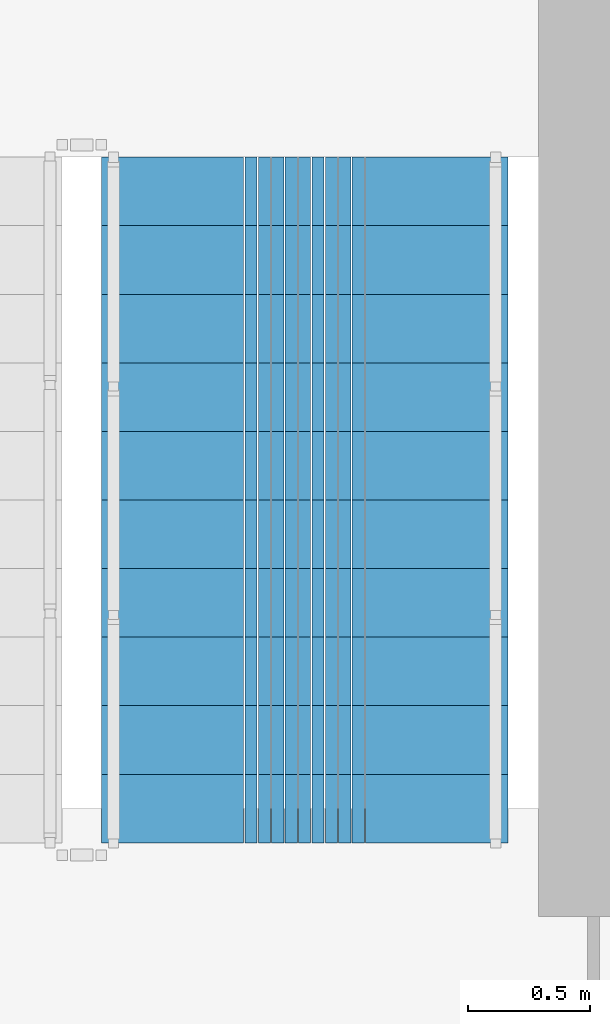
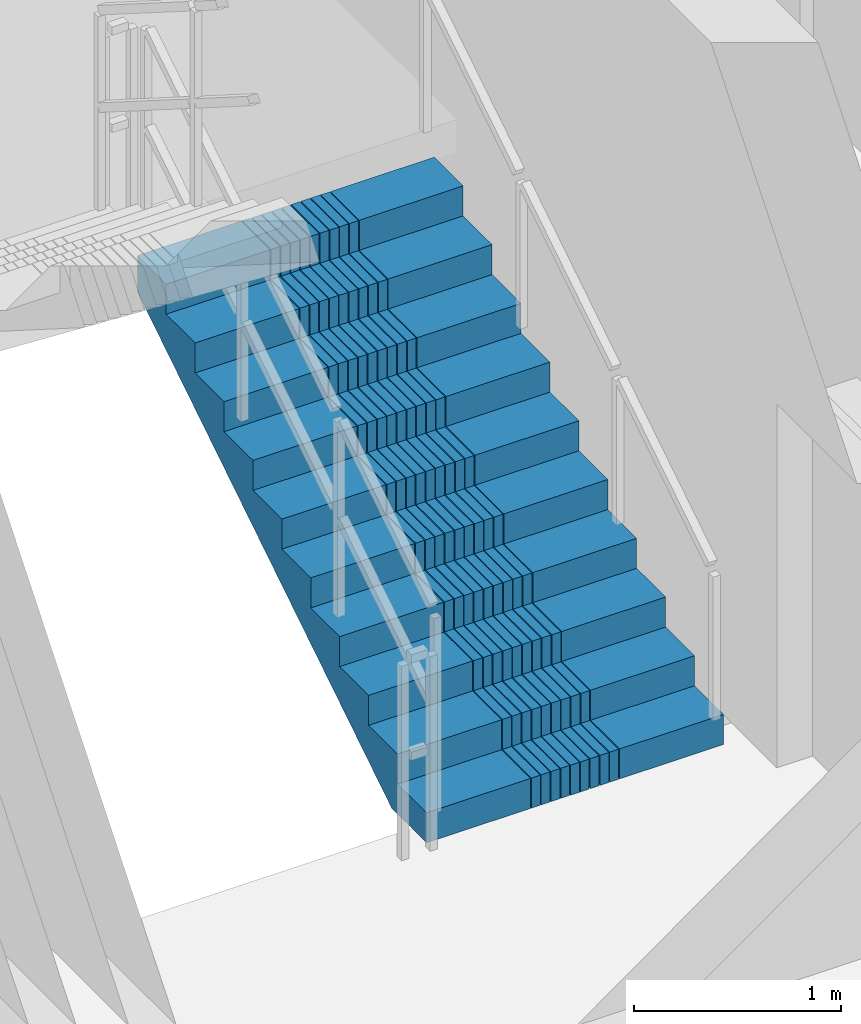
# One storey, part 10 of 15: 1 stair flight, 1 element without a shape of its own.
"""IFC4 building model written with IfcOpenShell, lengths in metres."""

from ifc_helpers import new_model, si_unit, direction, frame, origin, place, context, subcontext, project, spatial, polyline, outline, extrude, material, type_object, element, aggregate, save


model = new_model("IFC4")

# Units and contexts
model_context = context("Model", 3, precision=1e-05, world=origin(), true_north=direction((0.0, 1.0)))
body_context = subcontext(model_context, "Body", "Model", "MODEL_VIEW")
ifc_project = project(units=[si_unit("LENGTHUNIT", "METRE"), si_unit("AREAUNIT", "SQUARE_METRE"), si_unit("VOLUMEUNIT", "CUBIC_METRE"), si_unit("PLANEANGLEUNIT", "RADIAN"), si_unit("MASSUNIT", "GRAM", prefix="KILO")], contexts=[model_context])

# Site, building, storey
site_placement = place(None, origin())
site = spatial("IfcSite", under=ifc_project, at=site_placement, CompositionType="ELEMENT")
building_placement = place(site_placement, origin())
building = spatial("IfcBuilding", under=site, at=building_placement, Name="Saelheon Loggia Tower", CompositionType="ELEMENT")
storey_placement = place(building_placement, frame((0.0, 0.0, 169.0)))
storey = spatial("IfcBuildingStorey", under=building, at=storey_placement, Name="L53", CompositionType="ELEMENT", Elevation=169.0)

# Stair, stair flight
ifc_material = material(Name="Concrete C40/50", Category="concrete")
stair_type = type_object("IfcStairType", Name="Stair_Escape_Core", PredefinedType="HALF_TURN_STAIR", material=ifc_material)
stair_placement = place(storey_placement, origin())
stair = element("IfcStair", 1, at=stair_placement, inside=storey, type_object=stair_type, Name="L53 Special Escape Stair ST2", PredefinedType="HALF_TURN_STAIR")
stair_flight_type = type_object("IfcStairFlightType", Name="StairFlight_Tower_1660", PredefinedType="STRAIGHT", material=ifc_material)
stair_flight_placement = place(storey_placement, frame((43.320068359375, 30.449951171875, 0.0), z_axis=(0.0, 0.0, 1.0), x_axis=(0.0, 1.0, 0.0)))
stair_flight = element("IfcStairFlight", 2, at=stair_flight_placement, type_object=stair_flight_type, Name="ST2 flight 1", NumberOfRisers=11, NumberOfTreads=10, PredefinedType="STRAIGHT", RiserHeight=0.177272727, TreadLength=0.28, context=body_context, shape_type="SweptSolid", body=[
    extrude(outline(polyline([(0.0, 0.0), (0.0, 0.17724609375), (0.280029296875, 0.17724609375), (0.280029296875, 0.3544921875), (0.56005859375, 0.3544921875), (0.56005859375, 0.53173828125), (0.840087890625, 0.53173828125), (0.840087890625, 0.708984375), (1.1201171875, 0.708984375), (1.1201171875, 0.886474609375), (1.39990234375, 0.886474609375), (1.39990234375, 1.063720703125), (1.679931640625, 1.063720703125), (1.679931640625, 1.240966796875), (1.9599609375, 1.240966796875), (1.9599609375, 1.418212890625), (2.239990234375, 1.418212890625), (2.239990234375, 1.595458984375), (2.52001953125, 1.595458984375), (2.52001953125, 1.772705078125), (2.800048828125, 1.772705078125), (2.800048828125, 1.949951171875), (2.800048828125, 1.559814453125), (0.33642578125, 0.0), (0.0, 0.0)])), frame((0.0, -0.2490234375, 0.0), z_axis=(0.0, -1.0, 0.0), x_axis=(1.0, 0.0, 0.0)), (0.0, 0.0, 1.0), 0.5810546875),
    extrude(outline(polyline([(0.0, 0.0), (0.0, 0.17724609375), (0.280029296875, 0.17724609375), (0.280029296875, 0.3544921875), (0.56005859375, 0.3544921875), (0.56005859375, 0.53173828125), (0.840087890625, 0.53173828125), (0.840087890625, 0.708984375), (1.1201171875, 0.708984375), (1.1201171875, 0.886474609375), (1.39990234375, 0.886474609375), (1.39990234375, 1.063720703125), (1.679931640625, 1.063720703125), (1.679931640625, 1.240966796875), (1.9599609375, 1.240966796875), (1.9599609375, 1.418212890625), (2.239990234375, 1.418212890625), (2.239990234375, 1.595458984375), (2.52001953125, 1.595458984375), (2.52001953125, 1.772705078125), (2.800048828125, 1.772705078125), (2.800048828125, 1.949951171875), (2.800048828125, 1.559814453125), (0.33642578125, 0.0), (0.0, 0.0)])), frame((0.0, -0.194091796875, 0.0), z_axis=(0.0, -1.0, 0.0), x_axis=(1.0, 0.0, 0.0)), (0.0, 0.0, 1.0), 0.0498046875),
    extrude(outline(polyline([(0.0, 0.0), (0.0, 0.17724609375), (0.280029296875, 0.17724609375), (0.280029296875, 0.3544921875), (0.56005859375, 0.3544921875), (0.56005859375, 0.53173828125), (0.840087890625, 0.53173828125), (0.840087890625, 0.708984375), (1.1201171875, 0.708984375), (1.1201171875, 0.886474609375), (1.39990234375, 0.886474609375), (1.39990234375, 1.063720703125), (1.679931640625, 1.063720703125), (1.679931640625, 1.240966796875), (1.9599609375, 1.240966796875), (1.9599609375, 1.418212890625), (2.239990234375, 1.418212890625), (2.239990234375, 1.595458984375), (2.52001953125, 1.595458984375), (2.52001953125, 1.772705078125), (2.800048828125, 1.772705078125), (2.800048828125, 1.949951171875), (2.800048828125, 1.559814453125), (0.33642578125, 0.0), (0.0, 0.0)])), frame((0.0, -0.139404296875, 0.0), z_axis=(0.0, -1.0, 0.0), x_axis=(1.0, 0.0, 0.0)), (0.0, 0.0, 1.0), 0.0498046875),
    extrude(outline(polyline([(0.0, 0.0), (0.0, 0.17724609375), (0.280029296875, 0.17724609375), (0.280029296875, 0.3544921875), (0.56005859375, 0.3544921875), (0.56005859375, 0.53173828125), (0.840087890625, 0.53173828125), (0.840087890625, 0.708984375), (1.1201171875, 0.708984375), (1.1201171875, 0.886474609375), (1.39990234375, 0.886474609375), (1.39990234375, 1.063720703125), (1.679931640625, 1.063720703125), (1.679931640625, 1.240966796875), (1.9599609375, 1.240966796875), (1.9599609375, 1.418212890625), (2.239990234375, 1.418212890625), (2.239990234375, 1.595458984375), (2.52001953125, 1.595458984375), (2.52001953125, 1.772705078125), (2.800048828125, 1.772705078125), (2.800048828125, 1.949951171875), (2.800048828125, 1.559814453125), (0.33642578125, 0.0), (0.0, 0.0)])), frame((0.0, -0.084716796875, 0.0), z_axis=(0.0, -1.0, 0.0), x_axis=(1.0, 0.0, 0.0)), (0.0, 0.0, 1.0), 0.0498046875),
    extrude(outline(polyline([(0.0, 0.0), (0.0, 0.17724609375), (0.280029296875, 0.17724609375), (0.280029296875, 0.3544921875), (0.56005859375, 0.3544921875), (0.56005859375, 0.53173828125), (0.840087890625, 0.53173828125), (0.840087890625, 0.708984375), (1.1201171875, 0.708984375), (1.1201171875, 0.886474609375), (1.39990234375, 0.886474609375), (1.39990234375, 1.063720703125), (1.679931640625, 1.063720703125), (1.679931640625, 1.240966796875), (1.9599609375, 1.240966796875), (1.9599609375, 1.418212890625), (2.239990234375, 1.418212890625), (2.239990234375, 1.595458984375), (2.52001953125, 1.595458984375), (2.52001953125, 1.772705078125), (2.800048828125, 1.772705078125), (2.800048828125, 1.949951171875), (2.800048828125, 1.559814453125), (0.33642578125, 0.0), (0.0, 0.0)])), frame((0.0, -0.02978515625, 0.0), z_axis=(0.0, -1.0, 0.0), x_axis=(1.0, 0.0, 0.0)), (0.0, 0.0, 1.0), 0.0498046875),
    extrude(outline(polyline([(0.0, 0.0), (0.0, 0.17724609375), (0.280029296875, 0.17724609375), (0.280029296875, 0.3544921875), (0.56005859375, 0.3544921875), (0.56005859375, 0.53173828125), (0.840087890625, 0.53173828125), (0.840087890625, 0.708984375), (1.1201171875, 0.708984375), (1.1201171875, 0.886474609375), (1.39990234375, 0.886474609375), (1.39990234375, 1.063720703125), (1.679931640625, 1.063720703125), (1.679931640625, 1.240966796875), (1.9599609375, 1.240966796875), (1.9599609375, 1.418212890625), (2.239990234375, 1.418212890625), (2.239990234375, 1.595458984375), (2.52001953125, 1.595458984375), (2.52001953125, 1.772705078125), (2.800048828125, 1.772705078125), (2.800048828125, 1.949951171875), (2.800048828125, 1.559814453125), (0.33642578125, 0.0), (0.0, 0.0)])), frame((0.0, 0.02490234375, 0.0), z_axis=(0.0, -1.0, 0.0), x_axis=(1.0, 0.0, 0.0)), (0.0, 0.0, 1.0), 0.0498046875),
    extrude(outline(polyline([(0.0, 0.0), (0.0, 0.17724609375), (0.280029296875, 0.17724609375), (0.280029296875, 0.3544921875), (0.56005859375, 0.3544921875), (0.56005859375, 0.53173828125), (0.840087890625, 0.53173828125), (0.840087890625, 0.708984375), (1.1201171875, 0.708984375), (1.1201171875, 0.886474609375), (1.39990234375, 0.886474609375), (1.39990234375, 1.063720703125), (1.679931640625, 1.063720703125), (1.679931640625, 1.240966796875), (1.9599609375, 1.240966796875), (1.9599609375, 1.418212890625), (2.239990234375, 1.418212890625), (2.239990234375, 1.595458984375), (2.52001953125, 1.595458984375), (2.52001953125, 1.772705078125), (2.800048828125, 1.772705078125), (2.800048828125, 1.949951171875), (2.800048828125, 1.559814453125), (0.33642578125, 0.0), (0.0, 0.0)])), frame((0.0, 0.07958984375, 0.0), z_axis=(0.0, -1.0, 0.0), x_axis=(1.0, 0.0, 0.0)), (0.0, 0.0, 1.0), 0.0498046875),
    extrude(outline(polyline([(0.0, 0.0), (0.0, 0.17724609375), (0.280029296875, 0.17724609375), (0.280029296875, 0.3544921875), (0.56005859375, 0.3544921875), (0.56005859375, 0.53173828125), (0.840087890625, 0.53173828125), (0.840087890625, 0.708984375), (1.1201171875, 0.708984375), (1.1201171875, 0.886474609375), (1.39990234375, 0.886474609375), (1.39990234375, 1.063720703125), (1.679931640625, 1.063720703125), (1.679931640625, 1.240966796875), (1.9599609375, 1.240966796875), (1.9599609375, 1.418212890625), (2.239990234375, 1.418212890625), (2.239990234375, 1.595458984375), (2.52001953125, 1.595458984375), (2.52001953125, 1.772705078125), (2.800048828125, 1.772705078125), (2.800048828125, 1.949951171875), (2.800048828125, 1.559814453125), (0.33642578125, 0.0), (0.0, 0.0)])), frame((0.0, 0.134521484375, 0.0), z_axis=(0.0, -1.0, 0.0), x_axis=(1.0, 0.0, 0.0)), (0.0, 0.0, 1.0), 0.0498046875),
    extrude(outline(polyline([(0.0, 0.0), (0.0, 0.17724609375), (0.280029296875, 0.17724609375), (0.280029296875, 0.3544921875), (0.56005859375, 0.3544921875), (0.56005859375, 0.53173828125), (0.840087890625, 0.53173828125), (0.840087890625, 0.708984375), (1.1201171875, 0.708984375), (1.1201171875, 0.886474609375), (1.39990234375, 0.886474609375), (1.39990234375, 1.063720703125), (1.679931640625, 1.063720703125), (1.679931640625, 1.240966796875), (1.9599609375, 1.240966796875), (1.9599609375, 1.418212890625), (2.239990234375, 1.418212890625), (2.239990234375, 1.595458984375), (2.52001953125, 1.595458984375), (2.52001953125, 1.772705078125), (2.800048828125, 1.772705078125), (2.800048828125, 1.949951171875), (2.800048828125, 1.559814453125), (0.33642578125, 0.0), (0.0, 0.0)])), frame((0.0, 0.189208984375, 0.0), z_axis=(0.0, -1.0, 0.0), x_axis=(1.0, 0.0, 0.0)), (0.0, 0.0, 1.0), 0.0498046875),
    extrude(outline(polyline([(0.0, 0.0), (0.0, 0.17724609375), (0.280029296875, 0.17724609375), (0.280029296875, 0.3544921875), (0.56005859375, 0.3544921875), (0.56005859375, 0.53173828125), (0.840087890625, 0.53173828125), (0.840087890625, 0.708984375), (1.1201171875, 0.708984375), (1.1201171875, 0.886474609375), (1.39990234375, 0.886474609375), (1.39990234375, 1.063720703125), (1.679931640625, 1.063720703125), (1.679931640625, 1.240966796875), (1.9599609375, 1.240966796875), (1.9599609375, 1.418212890625), (2.239990234375, 1.418212890625), (2.239990234375, 1.595458984375), (2.52001953125, 1.595458984375), (2.52001953125, 1.772705078125), (2.800048828125, 1.772705078125), (2.800048828125, 1.949951171875), (2.800048828125, 1.559814453125), (0.33642578125, 0.0), (0.0, 0.0)])), frame((0.0, 0.243896484375, 0.0), z_axis=(0.0, -1.0, 0.0), x_axis=(1.0, 0.0, 0.0)), (0.0, 0.0, 1.0), 0.0498046875),
    extrude(outline(polyline([(0.0, 0.0), (0.0, 0.17724609375), (0.280029296875, 0.17724609375), (0.280029296875, 0.3544921875), (0.56005859375, 0.3544921875), (0.56005859375, 0.53173828125), (0.840087890625, 0.53173828125), (0.840087890625, 0.708984375), (1.1201171875, 0.708984375), (1.1201171875, 0.886474609375), (1.39990234375, 0.886474609375), (1.39990234375, 1.063720703125), (1.679931640625, 1.063720703125), (1.679931640625, 1.240966796875), (1.9599609375, 1.240966796875), (1.9599609375, 1.418212890625), (2.239990234375, 1.418212890625), (2.239990234375, 1.595458984375), (2.52001953125, 1.595458984375), (2.52001953125, 1.772705078125), (2.800048828125, 1.772705078125), (2.800048828125, 1.949951171875), (2.800048828125, 1.559814453125), (0.33642578125, 0.0), (0.0, 0.0)])), frame((0.0, 0.830078125, 0.0), z_axis=(0.0, -1.0, 0.0), x_axis=(1.0, 0.0, 0.0)), (0.0, 0.0, 1.0), 0.5810546875),
])
aggregate(stair, [stair_flight])

save(model, "model.ifc")
